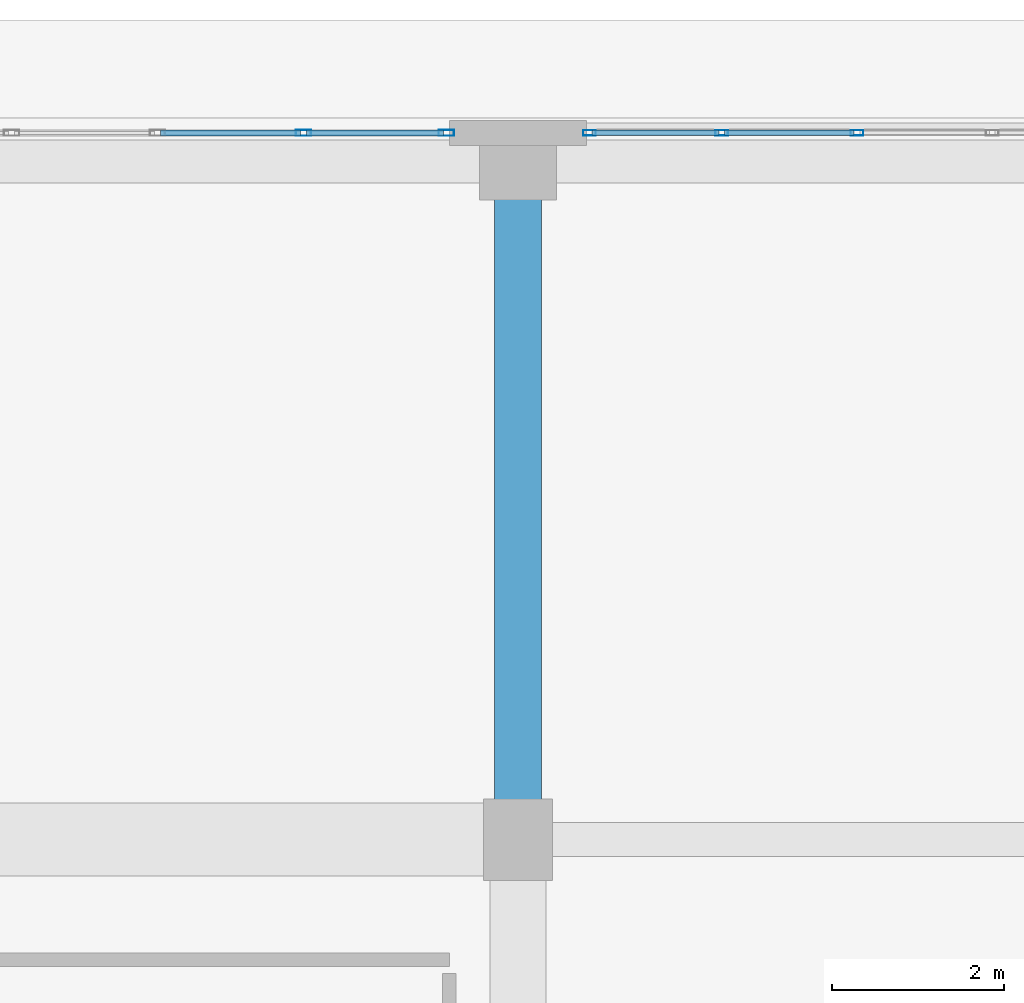
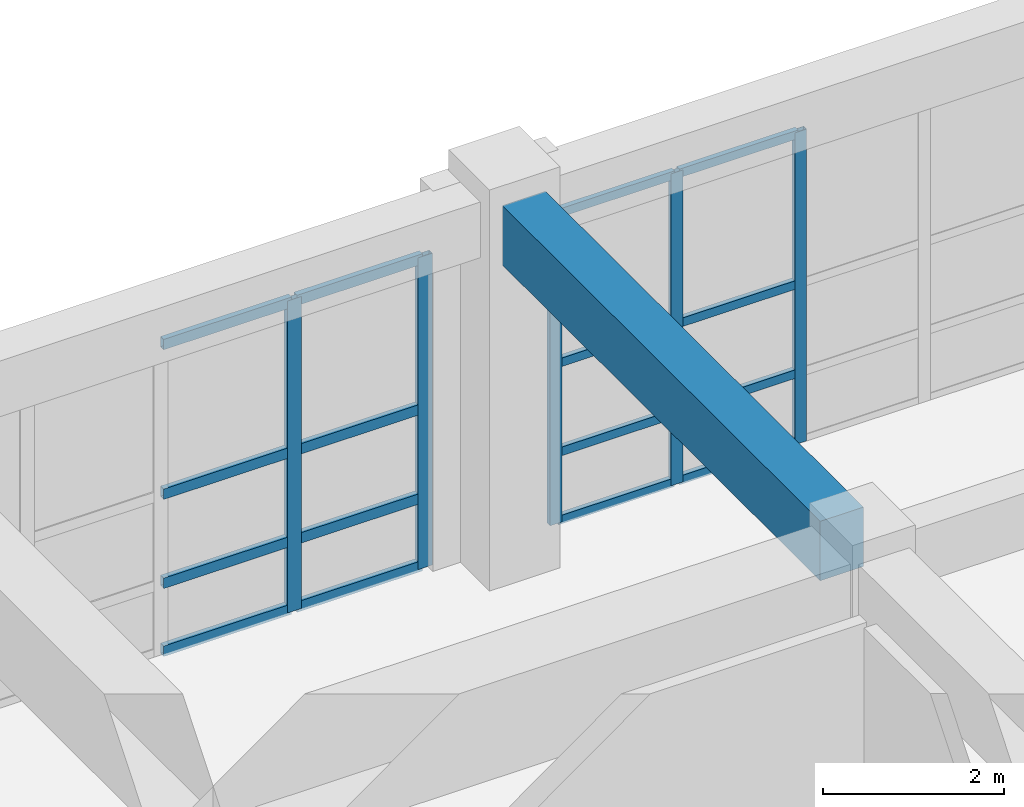
# One storey, part 86 of 148: 21 members, 1 beam, 2 elements without a shape of their own.
"""IFC4 building model written with IfcOpenShell, lengths in metres."""

from ifc_helpers import new_model, si_unit, direction, frame, origin, origin_2d, place, context, subcontext, project, spatial, rectangle, hollow_rectangle, extrude, material, layer, layer_set, material_profile, profile_set, type_object, element, aggregate, save


model = new_model("IFC4")

# Units and contexts
model_context = context("Model", 3, precision=1e-05, world=origin(), true_north=direction((0.0, 1.0)))
body_context = subcontext(model_context, "Body", "Model", "MODEL_VIEW")
ifc_project = project(units=[si_unit("LENGTHUNIT", "METRE"), si_unit("AREAUNIT", "SQUARE_METRE"), si_unit("VOLUMEUNIT", "CUBIC_METRE"), si_unit("PLANEANGLEUNIT", "RADIAN"), si_unit("MASSUNIT", "GRAM", prefix="KILO")], contexts=[model_context])

# Site, building, storey
site_placement = place(None, origin())
site = spatial("IfcSite", under=ifc_project, at=site_placement, CompositionType="ELEMENT")
building_placement = place(site_placement, origin())
building = spatial("IfcBuilding", under=site, at=building_placement, Name="Quendrovan Civic Courthouse", CompositionType="ELEMENT")
storey_placement = place(building_placement, origin())
storey = spatial("IfcBuildingStorey", under=building, at=storey_placement, Name="L01", CompositionType="ELEMENT", Elevation=0.0)

# Beam
ifc_material_1 = material(Name="Concrete C40/50", Category="concrete")
ifc_material_profile_1 = material_profile(ifc_material_1, rectangle(XDim=0.550048828125, YDim=0.800048828125, at=origin_2d()), Name="RC-BM-550x800")
ifc_profile_set_1 = profile_set([ifc_material_profile_1], Name="Concrete C40/50")
beam_type = type_object("IfcBeamType", Name="BM-RC800", PredefinedType="BEAM", material=ifc_profile_set_1)
beam_placement = place(storey_placement, frame((84.0, 102.455078125, 4.719970703125), z_axis=(0.0, 1.0, 0.0), x_axis=(-1.0, 0.0, 0.0)))
element("IfcBeam", 1, at=beam_placement, inside=storey, type_object=beam_type, Name="L01 Girder Y0440", PredefinedType="BEAM", context=body_context, shape_type="SweptSolid", body=[
    extrude(rectangle(XDim=0.550048828125, YDim=0.800048828125, at=origin_2d()), origin(), (0.0, 0.0, 1.0), 7.014892578125),
])

# Curtain wall, members
ifc_material_2 = material(Name="Bronze anodised aluminium and low-E glass", Category="aluminium")
ifc_layer_1 = layer(ifc_material_2, 0.179931640625, Name="Bronze anodised aluminium and low-E glass")
ifc_layer_set_1 = layer_set([ifc_layer_1], Name="Bronze anodised aluminium and low-E glass")
curtain_wall_type_1 = type_object("IfcCurtainWallType", Name="CW-U68x42", PredefinedType="USERDEFINED", material=ifc_layer_set_1)
curtain_wall_1_placement = place(storey_placement, origin())
curtain_wall_1 = element("IfcCurtainWall", 2, at=curtain_wall_1_placement, inside=storey, type_object=curtain_wall_type_1, Name="L01 Unitised Hurricane Curtain Wall CW-030", ObjectType="UNITISED CURTAIN WALL", PredefinedType="USERDEFINED")
ifc_material_3 = material(Name="Bronze anodised aluminium", Category="aluminium")
ifc_material_profile_2 = material_profile(ifc_material_3, hollow_rectangle(XDim=0.070068359375, YDim=0.179931640625, WallThickness=0.00390625, at=origin_2d()), Name="CW-MULL-70x180")
ifc_profile_set_2 = profile_set([ifc_material_profile_2], Name="Bronze anodised aluminium")
member_type_1 = type_object("IfcMemberType", Name="CW-MULL-A", PredefinedType="MULLION", material=ifc_profile_set_2)
member_1_placement = place(storey_placement, frame((81.5, 110.235107421875, 0.0), z_axis=(0.0, 0.0, 1.0), x_axis=(0.0, 1.0, 0.0)))
member_1 = element("IfcMember", 3, at=member_1_placement, type_object=member_type_1, Name="CW-030 mullion 4", PredefinedType="MULLION", context=body_context, shape_type="SweptSolid", body=[
    extrude(hollow_rectangle(XDim=0.070068359375, YDim=0.179931640625, WallThickness=0.00390625, at=origin_2d()), origin(), (0.0, 0.0, 1.0), 4.199951171875),
])
member_2_placement = place(storey_placement, frame((83.1650390625, 110.235107421875, 0.0), z_axis=(0.0, 0.0, 1.0), x_axis=(0.0, 1.0, 0.0)))
member_2 = element("IfcMember", 4, at=member_2_placement, type_object=member_type_1, Name="CW-030 mullion 5", PredefinedType="MULLION", context=body_context, shape_type="SweptSolid", body=[
    extrude(hollow_rectangle(XDim=0.070068359375, YDim=0.179931640625, WallThickness=0.00390625, at=origin_2d()), origin(), (0.0, 0.0, 1.0), 4.199951171875),
])

ifc_layer_2 = layer(ifc_material_2, 0.179931640625, Name="Bronze anodised aluminium and low-E glass")
ifc_layer_set_2 = layer_set([ifc_layer_2], Name="Bronze anodised aluminium and low-E glass")
curtain_wall_type_2 = type_object("IfcCurtainWallType", Name="CW-U63x42", PredefinedType="USERDEFINED", material=ifc_layer_set_2)
curtain_wall_2_placement = place(storey_placement, origin())
curtain_wall_2 = element("IfcCurtainWall", 5, at=curtain_wall_2_placement, inside=storey, type_object=curtain_wall_type_2, Name="L01 Unitised Hurricane Curtain Wall CW-031", ObjectType="UNITISED CURTAIN WALL", PredefinedType="USERDEFINED")
ifc_material_profile_3 = material_profile(ifc_material_3, hollow_rectangle(XDim=0.06494140625, YDim=0.14990234375, WallThickness=0.00390625, at=origin_2d()), Name="CW-MULL-65x150")
ifc_profile_set_3 = profile_set([ifc_material_profile_3], Name="Bronze anodised aluminium")
member_type_2 = type_object("IfcMemberType", Name="CW-MULL-B", PredefinedType="MULLION", material=ifc_profile_set_3)
member_3_placement = place(storey_placement, frame((84.83251953125, 110.235107421875, 0.0), z_axis=(0.0, 0.0, 1.0), x_axis=(0.0, 1.0, 0.0)))
member_3 = element("IfcMember", 6, at=member_3_placement, type_object=member_type_2, Name="CW-031 mullion 1", PredefinedType="MULLION", context=body_context, shape_type="SweptSolid", body=[
    extrude(hollow_rectangle(XDim=0.06494140625, YDim=0.14990234375, WallThickness=0.00390625, at=origin_2d()), origin(), (0.0, 0.0, 1.0), 4.199951171875),
])
member_4_placement = place(storey_placement, frame((86.375, 110.235107421875, 0.0), z_axis=(0.0, 0.0, 1.0), x_axis=(0.0, 1.0, 0.0)))
member_4 = element("IfcMember", 7, at=member_4_placement, type_object=member_type_2, Name="CW-031 mullion 2", PredefinedType="MULLION", context=body_context, shape_type="SweptSolid", body=[
    extrude(hollow_rectangle(XDim=0.06494140625, YDim=0.14990234375, WallThickness=0.00390625, at=origin_2d()), origin(), (0.0, 0.0, 1.0), 4.199951171875),
])
member_5_placement = place(storey_placement, frame((87.949951171875, 110.235107421875, 0.0), z_axis=(0.0, 0.0, 1.0), x_axis=(0.0, 1.0, 0.0)))
member_5 = element("IfcMember", 8, at=member_5_placement, type_object=member_type_2, Name="CW-031 mullion 3", PredefinedType="MULLION", context=body_context, shape_type="SweptSolid", body=[
    extrude(hollow_rectangle(XDim=0.06494140625, YDim=0.14990234375, WallThickness=0.00390625, at=origin_2d()), origin(), (0.0, 0.0, 1.0), 4.199951171875),
])

# Member
ifc_material_profile_4 = material_profile(ifc_material_3, hollow_rectangle(XDim=0.070068359375, YDim=0.139892578125, WallThickness=0.00390625, at=origin_2d()), Name="CW-TRAN-70x140")
ifc_profile_set_4 = profile_set([ifc_material_profile_4], Name="Bronze anodised aluminium")
member_type_3 = type_object("IfcMemberType", Name="CW-TRAN-A", PredefinedType="USERDEFINED", material=ifc_profile_set_4)
member_6_placement = place(storey_placement, frame((79.8349609375, 110.235107421875, 0.034912109375), z_axis=(1.0, 0.0, 0.0), x_axis=(0.0, 1.0, 0.0)))
member_6 = element("IfcMember", 9, at=member_6_placement, type_object=member_type_3, Name="CW-030 transom 3.1", ObjectType="TRANSOM", PredefinedType="USERDEFINED", context=body_context, shape_type="SweptSolid", body=[
    extrude(hollow_rectangle(XDim=0.070068359375, YDim=0.139892578125, WallThickness=0.00390625, at=origin_2d()), origin(), (0.0, 0.0, 1.0), 1.630126953125),
])

member_7_placement = place(storey_placement, frame((79.8349609375, 110.235107421875, 0.949951171875), z_axis=(1.0, 0.0, 0.0), x_axis=(0.0, 1.0, 0.0)))
member_7 = element("IfcMember", 10, at=member_7_placement, type_object=member_type_3, Name="CW-030 transom 3.2", ObjectType="TRANSOM", PredefinedType="USERDEFINED", context=body_context, shape_type="SweptSolid", body=[
    extrude(hollow_rectangle(XDim=0.070068359375, YDim=0.139892578125, WallThickness=0.00390625, at=origin_2d()), origin(), (0.0, 0.0, 1.0), 1.630126953125),
])

member_8_placement = place(storey_placement, frame((79.8349609375, 110.235107421875, 2.14990234375), z_axis=(1.0, 0.0, 0.0), x_axis=(0.0, 1.0, 0.0)))
member_8 = element("IfcMember", 11, at=member_8_placement, type_object=member_type_3, Name="CW-030 transom 3.3", ObjectType="TRANSOM", PredefinedType="USERDEFINED", context=body_context, shape_type="SweptSolid", body=[
    extrude(hollow_rectangle(XDim=0.070068359375, YDim=0.139892578125, WallThickness=0.00390625, at=origin_2d()), origin(), (0.0, 0.0, 1.0), 1.630126953125),
])

member_9_placement = place(storey_placement, frame((79.8349609375, 110.235107421875, 4.1650390625), z_axis=(1.0, 0.0, 0.0), x_axis=(0.0, 1.0, 0.0)))
member_9 = element("IfcMember", 12, at=member_9_placement, type_object=member_type_3, Name="CW-030 transom 3.4", ObjectType="TRANSOM", PredefinedType="USERDEFINED", context=body_context, shape_type="SweptSolid", body=[
    extrude(hollow_rectangle(XDim=0.070068359375, YDim=0.139892578125, WallThickness=0.00390625, at=origin_2d()), origin(), (0.0, 0.0, 1.0), 1.630126953125),
])

member_10_placement = place(storey_placement, frame((81.534912109375, 110.235107421875, 0.034912109375), z_axis=(1.0, 0.0, 0.0), x_axis=(0.0, 1.0, 0.0)))
member_10 = element("IfcMember", 13, at=member_10_placement, type_object=member_type_3, Name="CW-030 transom 4.1", ObjectType="TRANSOM", PredefinedType="USERDEFINED", context=body_context, shape_type="SweptSolid", body=[
    extrude(hollow_rectangle(XDim=0.070068359375, YDim=0.139892578125, WallThickness=0.00390625, at=origin_2d()), origin(), (0.0, 0.0, 1.0), 1.594970703125),
])

member_11_placement = place(storey_placement, frame((81.534912109375, 110.235107421875, 0.949951171875), z_axis=(1.0, 0.0, 0.0), x_axis=(0.0, 1.0, 0.0)))
member_11 = element("IfcMember", 14, at=member_11_placement, type_object=member_type_3, Name="CW-030 transom 4.2", ObjectType="TRANSOM", PredefinedType="USERDEFINED", context=body_context, shape_type="SweptSolid", body=[
    extrude(hollow_rectangle(XDim=0.070068359375, YDim=0.139892578125, WallThickness=0.00390625, at=origin_2d()), origin(), (0.0, 0.0, 1.0), 1.594970703125),
])

member_12_placement = place(storey_placement, frame((81.534912109375, 110.235107421875, 2.14990234375), z_axis=(1.0, 0.0, 0.0), x_axis=(0.0, 1.0, 0.0)))
member_12 = element("IfcMember", 15, at=member_12_placement, type_object=member_type_3, Name="CW-030 transom 4.3", ObjectType="TRANSOM", PredefinedType="USERDEFINED", context=body_context, shape_type="SweptSolid", body=[
    extrude(hollow_rectangle(XDim=0.070068359375, YDim=0.139892578125, WallThickness=0.00390625, at=origin_2d()), origin(), (0.0, 0.0, 1.0), 1.594970703125),
])

member_13_placement = place(storey_placement, frame((81.534912109375, 110.235107421875, 4.1650390625), z_axis=(1.0, 0.0, 0.0), x_axis=(0.0, 1.0, 0.0)))
member_13 = element("IfcMember", 16, at=member_13_placement, type_object=member_type_3, Name="CW-030 transom 4.4", ObjectType="TRANSOM", PredefinedType="USERDEFINED", context=body_context, shape_type="SweptSolid", body=[
    extrude(hollow_rectangle(XDim=0.070068359375, YDim=0.139892578125, WallThickness=0.00390625, at=origin_2d()), origin(), (0.0, 0.0, 1.0), 1.594970703125),
])

aggregate(curtain_wall_1, [member_1, member_2, member_6, member_7, member_8, member_9, member_10, member_11, member_12, member_13])

ifc_material_profile_5 = material_profile(ifc_material_3, hollow_rectangle(XDim=0.06494140625, YDim=0.114990234375, WallThickness=0.00390625, at=origin_2d()), Name="CW-TRAN-65x115")
ifc_profile_set_5 = profile_set([ifc_material_profile_5], Name="Bronze anodised aluminium")
member_type_4 = type_object("IfcMemberType", Name="CW-TRAN-B", PredefinedType="USERDEFINED", material=ifc_profile_set_5)
member_14_placement = place(storey_placement, frame((84.864990234375, 110.235107421875, 0.032470703125), z_axis=(1.0, 0.0, 0.0), x_axis=(0.0, 1.0, 0.0)))
member_14 = element("IfcMember", 17, at=member_14_placement, type_object=member_type_4, Name="CW-031 transom 1.1", ObjectType="TRANSOM", PredefinedType="USERDEFINED", context=body_context, shape_type="SweptSolid", body=[
    extrude(hollow_rectangle(XDim=0.06494140625, YDim=0.114990234375, WallThickness=0.00390625, at=origin_2d()), origin(), (0.0, 0.0, 1.0), 1.4775390625),
])

member_15_placement = place(storey_placement, frame((84.864990234375, 110.235107421875, 0.949951171875), z_axis=(1.0, 0.0, 0.0), x_axis=(0.0, 1.0, 0.0)))
member_15 = element("IfcMember", 18, at=member_15_placement, type_object=member_type_4, Name="CW-031 transom 1.2", ObjectType="TRANSOM", PredefinedType="USERDEFINED", context=body_context, shape_type="SweptSolid", body=[
    extrude(hollow_rectangle(XDim=0.06494140625, YDim=0.114990234375, WallThickness=0.00390625, at=origin_2d()), origin(), (0.0, 0.0, 1.0), 1.4775390625),
])

member_16_placement = place(storey_placement, frame((84.864990234375, 110.235107421875, 2.14990234375), z_axis=(1.0, 0.0, 0.0), x_axis=(0.0, 1.0, 0.0)))
member_16 = element("IfcMember", 19, at=member_16_placement, type_object=member_type_4, Name="CW-031 transom 1.3", ObjectType="TRANSOM", PredefinedType="USERDEFINED", context=body_context, shape_type="SweptSolid", body=[
    extrude(hollow_rectangle(XDim=0.06494140625, YDim=0.114990234375, WallThickness=0.00390625, at=origin_2d()), origin(), (0.0, 0.0, 1.0), 1.4775390625),
])

member_17_placement = place(storey_placement, frame((84.864990234375, 110.235107421875, 4.16748046875), z_axis=(1.0, 0.0, 0.0), x_axis=(0.0, 1.0, 0.0)))
member_17 = element("IfcMember", 20, at=member_17_placement, type_object=member_type_4, Name="CW-031 transom 1.4", ObjectType="TRANSOM", PredefinedType="USERDEFINED", context=body_context, shape_type="SweptSolid", body=[
    extrude(hollow_rectangle(XDim=0.06494140625, YDim=0.114990234375, WallThickness=0.00390625, at=origin_2d()), origin(), (0.0, 0.0, 1.0), 1.4775390625),
])

member_18_placement = place(storey_placement, frame((86.407470703125, 110.235107421875, 0.032470703125), z_axis=(1.0, 0.0, 0.0), x_axis=(0.0, 1.0, 0.0)))
member_18 = element("IfcMember", 21, at=member_18_placement, type_object=member_type_4, Name="CW-031 transom 2.1", ObjectType="TRANSOM", PredefinedType="USERDEFINED", context=body_context, shape_type="SweptSolid", body=[
    extrude(hollow_rectangle(XDim=0.06494140625, YDim=0.114990234375, WallThickness=0.00390625, at=origin_2d()), origin(), (0.0, 0.0, 1.0), 1.510009765625),
])

member_19_placement = place(storey_placement, frame((86.407470703125, 110.235107421875, 0.949951171875), z_axis=(1.0, 0.0, 0.0), x_axis=(0.0, 1.0, 0.0)))
member_19 = element("IfcMember", 22, at=member_19_placement, type_object=member_type_4, Name="CW-031 transom 2.2", ObjectType="TRANSOM", PredefinedType="USERDEFINED", context=body_context, shape_type="SweptSolid", body=[
    extrude(hollow_rectangle(XDim=0.06494140625, YDim=0.114990234375, WallThickness=0.00390625, at=origin_2d()), origin(), (0.0, 0.0, 1.0), 1.510009765625),
])

member_20_placement = place(storey_placement, frame((86.407470703125, 110.235107421875, 2.14990234375), z_axis=(1.0, 0.0, 0.0), x_axis=(0.0, 1.0, 0.0)))
member_20 = element("IfcMember", 23, at=member_20_placement, type_object=member_type_4, Name="CW-031 transom 2.3", ObjectType="TRANSOM", PredefinedType="USERDEFINED", context=body_context, shape_type="SweptSolid", body=[
    extrude(hollow_rectangle(XDim=0.06494140625, YDim=0.114990234375, WallThickness=0.00390625, at=origin_2d()), origin(), (0.0, 0.0, 1.0), 1.510009765625),
])

member_21_placement = place(storey_placement, frame((86.407470703125, 110.235107421875, 4.16748046875), z_axis=(1.0, 0.0, 0.0), x_axis=(0.0, 1.0, 0.0)))
member_21 = element("IfcMember", 24, at=member_21_placement, type_object=member_type_4, Name="CW-031 transom 2.4", ObjectType="TRANSOM", PredefinedType="USERDEFINED", context=body_context, shape_type="SweptSolid", body=[
    extrude(hollow_rectangle(XDim=0.06494140625, YDim=0.114990234375, WallThickness=0.00390625, at=origin_2d()), origin(), (0.0, 0.0, 1.0), 1.510009765625),
])

aggregate(curtain_wall_2, [member_3, member_4, member_5, member_14, member_15, member_16, member_17, member_18, member_19, member_20, member_21])

save(model, "model.ifc")
